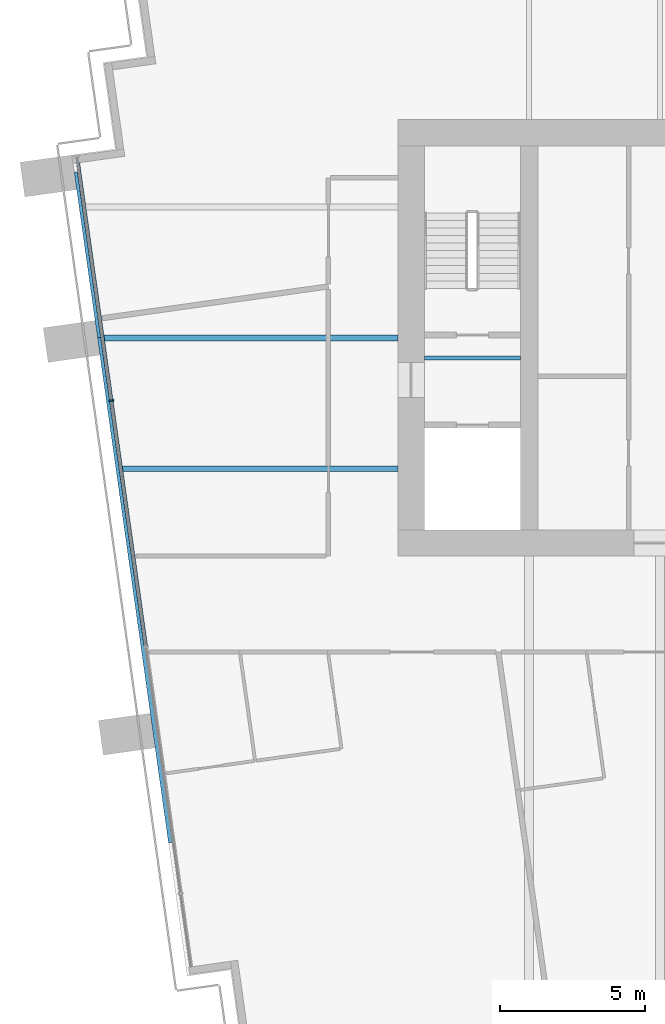
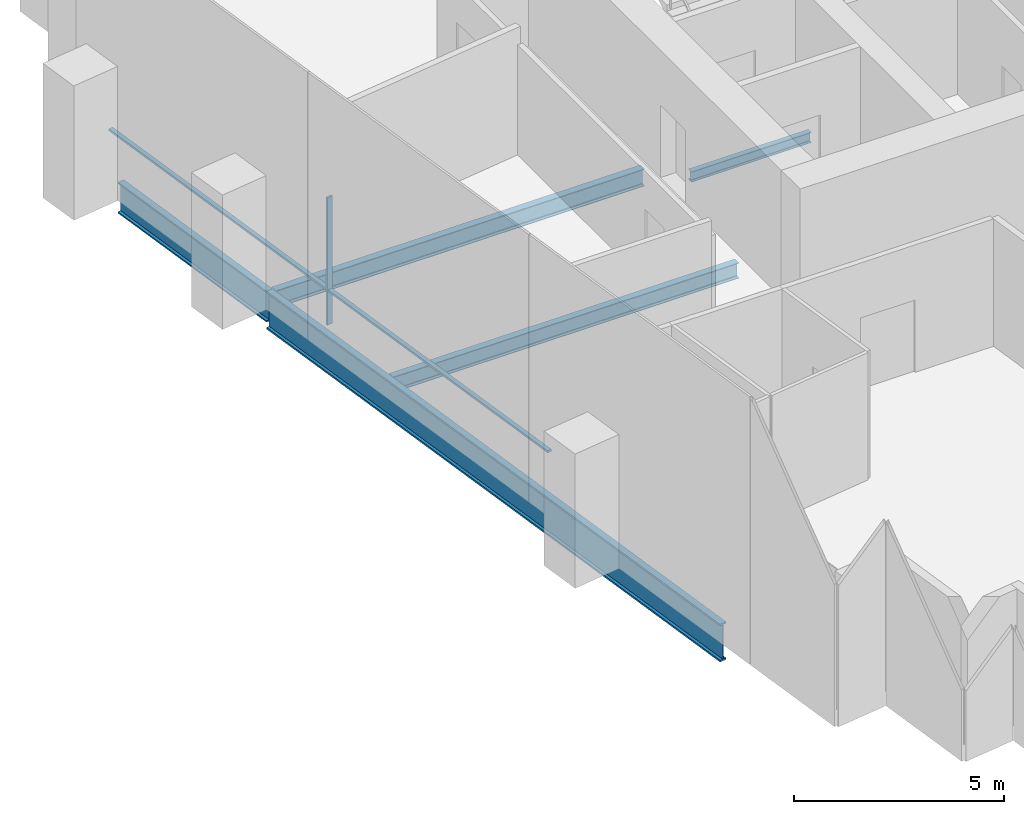
# One storey, part 3 of 17: 5 beams, 3 members, 1 element without a shape of its own.
"""IFC4 building model written with IfcOpenShell, lengths in metres."""

import ifcopenshell
import ifcopenshell.guid

model = None  # the IFC model being written
_history = None  # IfcOwnerHistory: only IFC2X3 demands one
_inside = {}  # id of a spatial element -> (the spatial element, [elements in it])
_under = {}  # id of a project, library or spatial element -> (it, [spatial elements below it])
_declared = {}  # id of a project -> (the project, [libraries it declares])
_typed = {}  # id of a type object -> (the type object, [elements of that type])
_made_of = {}  # id of a material, layer set ... -> (it, [elements and type objects made of it])


def new_model(schema):
    """Start an empty IFC model of exactly this schema.

    Asked for "IFC4X3", IfcOpenShell would pick the latest addendum, in which some entities
    have other attributes; the version numbers below select the first issue.
    IFC2X3 requires an IfcOwnerHistory on every rooted entity: one is made here for all.
    """
    global model, _history
    if schema == "IFC4X3":
        model = ifcopenshell.file(schema_version=(4, 3, 0, 0))
    else:
        model = ifcopenshell.file(schema=schema)
    _inside.clear()
    _under.clear()
    _declared.clear()
    _typed.clear()
    _made_of.clear()
    _history = None
    if model.schema == "IFC2X3":
        org = make("IfcOrganization", Name="unknown")
        user = make(
            "IfcPersonAndOrganization",
            ThePerson=make("IfcPerson", FamilyName="unknown"),
            TheOrganization=org,
        )
        app = make(
            "IfcApplication",
            ApplicationDeveloper=org,
            Version="unknown",
            ApplicationFullName="unknown",
            ApplicationIdentifier="unknown",
        )
        _history = make(
            "IfcOwnerHistory",
            OwningUser=user,
            OwningApplication=app,
            ChangeAction="ADDED",
            CreationDate=0,
        )
    return model


def make(cls, **values):
    """One entity of the class cls with the attributes given. An attribute that is None is left unset."""
    return model.create_entity(
        cls, **{name: value for name, value in values.items() if value is not None}
    )


def rooted(cls, **values):
    """An entity with a GlobalId (a new one), such as an element, a storey or a relation."""
    return make(cls, GlobalId=ifcopenshell.guid.new(), OwnerHistory=_history, **values)


def si_unit(unit_type, name, prefix=None):
    """IfcSIUnit, for example si_unit("LENGTHUNIT", "METRE", prefix="MILLI")."""
    return make("IfcSIUnit", UnitType=unit_type, Prefix=prefix, Name=name)


def assignment(units):
    """IfcUnitAssignment: the units of a project."""
    return None if units is None else make("IfcUnitAssignment", Units=units)


def point(xyz):
    """IfcCartesianPoint."""
    return None if xyz is None else make("IfcCartesianPoint", Coordinates=xyz)


def direction(xyz):
    """IfcDirection."""
    return None if xyz is None else make("IfcDirection", DirectionRatios=xyz)


def frame(location, z_axis=None, x_axis=None):
    """IfcAxis2Placement3D, a coordinate frame: its origin and axes. An axis left out is left unset."""
    return make(
        "IfcAxis2Placement3D",
        Location=point(location),
        Axis=direction(z_axis),
        RefDirection=direction(x_axis),
    )


def frame_2d(location, x_axis=None):
    """IfcAxis2Placement2D, a coordinate frame in the plane: its origin and x axis."""
    return make(
        "IfcAxis2Placement2D", Location=point(location), RefDirection=direction(x_axis)
    )


def origin():
    """The frame at (0, 0, 0) with its axes left unset."""
    return frame((0.0, 0.0, 0.0))


def origin_2d():
    """The frame at (0, 0) in the plane with its x axis left unset."""
    return frame_2d((0.0, 0.0))


def place(relative_to, where):
    """IfcLocalPlacement: puts the frame where relative to a parent placement (None: the world)."""
    return make(
        "IfcLocalPlacement", PlacementRelTo=relative_to, RelativePlacement=where
    )


def context(
    kind, dimensions, precision=None, world=None, true_north=None, identifier=None
):
    """IfcGeometricRepresentationContext, for example the 3D "Model" context."""
    return make(
        "IfcGeometricRepresentationContext",
        ContextIdentifier=identifier,
        ContextType=kind,
        CoordinateSpaceDimension=dimensions,
        Precision=precision,
        WorldCoordinateSystem=world,
        TrueNorth=true_north,
    )


def subcontext(parent, identifier, kind, view, scale=None):
    """IfcGeometricRepresentationSubContext, for example "Body" below "Model"."""
    return make(
        "IfcGeometricRepresentationSubContext",
        ContextIdentifier=identifier,
        ContextType=kind,
        ParentContext=parent,
        TargetScale=scale,
        TargetView=view,
    )


def project(units=None, contexts=None):
    """IfcProject with its units and contexts."""
    return rooted(
        "IfcProject",
        Name="project",
        RepresentationContexts=contexts,
        UnitsInContext=assignment(units),
    )


def spatial(cls, under=None, at=None, **own):
    """A site, building, storey or space (cls), placed at a placement, below another one or the project."""
    s = rooted(cls, ObjectPlacement=at, **own)
    if under is not None:
        _under.setdefault(under.id(), (under, []))[1].append(s)
    return s


def profile(cls, at=None, kind="AREA", **sizes):
    """A parametric profile (cls). Its sizes go by their IFC names, for example OverallWidth=200.0."""
    return make(cls, ProfileType=kind, Position=at, **sizes)


def rectangle(**sizes):
    """IfcRectangleProfileDef."""
    return profile("IfcRectangleProfileDef", **sizes)


def i_section(**sizes):
    """IfcIShapeProfileDef."""
    return profile("IfcIShapeProfileDef", **sizes)


def extrude(swept, where, along, depth):
    """IfcExtrudedAreaSolid: the profile swept, set in the frame where, extruded along a direction by depth."""
    return make(
        "IfcExtrudedAreaSolid",
        SweptArea=swept,
        Position=where,
        ExtrudedDirection=direction(along),
        Depth=depth,
    )


def shape(context_of_items, identifier, shape_type, items):
    """IfcShapeRepresentation: the items that make up one representation, for example the "Body"."""
    return make(
        "IfcShapeRepresentation",
        ContextOfItems=context_of_items,
        RepresentationIdentifier=identifier,
        RepresentationType=shape_type,
        Items=items,
    )


def material(Name=None, Category=None):
    """IfcMaterial."""
    return make("IfcMaterial", Name=Name, Category=Category)


def material_profile(
    of_material, cross_section, Name=None, Category=None, Priority=None
):
    """IfcMaterialProfile: a cross section and its material."""
    return make(
        "IfcMaterialProfile",
        Name=Name,
        Material=of_material,
        Profile=cross_section,
        Priority=Priority,
        Category=Category,
    )


def profile_set(profiles, Name=None, composite=None):
    """IfcMaterialProfileSet."""
    return make(
        "IfcMaterialProfileSet",
        Name=Name,
        MaterialProfiles=profiles,
        CompositeProfile=composite,
    )


def made_of(thing, what):
    """Note that an element or type object is made of a material, layer set ...; save() writes the relation."""
    if what is not None:
        _made_of.setdefault(what.id(), (what, []))[1].append(thing)
    return thing


def type_object(cls, material=None, **own):
    """A type object (cls), such as IfcWallType, which elements share."""
    return made_of(rooted(cls, **own), material)


def element(
    cls,
    number,
    at=None,
    inside=None,
    cuts=None,
    type_object=None,
    material=None,
    context=None,
    identifier="Body",
    shape_type=None,
    held_by="IfcProductDefinitionShape",
    body=None,
    shapes=None,
    **own,
):
    """One element of the class cls, such as IfcWall. Its Tag is "e" and its number.

    at: its placement. inside: the storey or other place that contains it. cuts: it is an
    opening in that element (IfcRelVoidsElement). A single representation is given by context,
    identifier, shape_type and body (its items); several are given by shapes. held_by: the class
    of the entity that holds the representations. save() writes the other relations.
    """
    e = rooted(cls, Tag="e%d" % number, ObjectPlacement=at, **own)
    if body is not None:
        shapes = [shape(context, identifier, shape_type, body)]
    if shapes is not None:
        e.Representation = make(held_by, Representations=shapes)
    if inside is not None:
        _inside.setdefault(inside.id(), (inside, []))[1].append(e)
    if cuts is not None:
        rooted(
            "IfcRelVoidsElement", RelatingBuildingElement=cuts, RelatedOpeningElement=e
        )
    if type_object is not None:
        _typed.setdefault(type_object.id(), (type_object, []))[1].append(e)
    return made_of(e, material)


def aggregate(whole, parts):
    """IfcRelAggregates: a whole, such as a stair, and the parts it consists of."""
    return rooted("IfcRelAggregates", RelatingObject=whole, RelatedObjects=parts)


def save(model, path):
    """Write the relations noted so far, then the file.

    IfcRelAggregates (storeys below a building ...), IfcRelContainedInSpatialStructure (elements
    in a storey), IfcRelDefinesByType, IfcRelAssociatesMaterial and IfcRelDeclares: one each for
    every whole, place, type object, material and project.
    """
    for whole, parts in _under.values():
        aggregate(whole, parts)
    for where, things in _inside.values():
        rooted(
            "IfcRelContainedInSpatialStructure",
            RelatedElements=things,
            RelatingStructure=where,
        )
    for kind, things in _typed.values():
        rooted("IfcRelDefinesByType", RelatedObjects=things, RelatingType=kind)
    for what, things in _made_of.values():
        rooted("IfcRelAssociatesMaterial", RelatedObjects=things, RelatingMaterial=what)
    for by, libraries in _declared.values():
        rooted("IfcRelDeclares", RelatingContext=by, RelatedDefinitions=libraries)
    model.write(path)


model = new_model("IFC4")

# Units and contexts
model_context = context("Model", 3, precision=1e-05, world=origin(), true_north=direction((0.0, 1.0)))
body_context = subcontext(model_context, "Body", "Model", "MODEL_VIEW")
ifc_project = project(units=[si_unit("LENGTHUNIT", "METRE"), si_unit("AREAUNIT", "SQUARE_METRE"), si_unit("VOLUMEUNIT", "CUBIC_METRE"), si_unit("PLANEANGLEUNIT", "RADIAN"), si_unit("MASSUNIT", "GRAM", prefix="KILO")], contexts=[model_context])

# Site, building, storey
site_placement = place(None, origin())
site = spatial("IfcSite", under=ifc_project, at=site_placement, CompositionType="ELEMENT")
building_placement = place(site_placement, origin())
building = spatial("IfcBuilding", under=site, at=building_placement, Name="Rattan Terrace Tower", CompositionType="ELEMENT")
storey_placement = place(building_placement, frame((0.0, 0.0, 191.89990234375)))
storey = spatial("IfcBuildingStorey", under=building, at=storey_placement, Name="L44", CompositionType="ELEMENT", Elevation=191.89990234375)

# Curtain wall, members
ifc_material_1 = material(Name="Aluminium and glass", Category="aluminium")
curtain_wall_type = type_object("IfcCurtainWallType", Name="Facade Unitised Curtain Wall", PredefinedType="NOTDEFINED", material=ifc_material_1)
curtain_wall_placement = place(storey_placement, origin())
curtain_wall = element("IfcCurtainWall", 1, at=curtain_wall_placement, inside=storey, type_object=curtain_wall_type, Name="Curtain wall L44-3", PredefinedType="NOTDEFINED")
ifc_material_2 = material(Name="Aluminium", Category="aluminium")
ifc_material_profile_1 = material_profile(ifc_material_2, rectangle(XDim=0.06005859375, YDim=0.159912109375, at=origin_2d()), Name="Aluminium 60x160")
ifc_profile_set_1 = profile_set([ifc_material_profile_1], Name="Aluminium")
member_type_1 = type_object("IfcMemberType", Name="Facade CW Mullion 60x160", PredefinedType="MULLION", material=ifc_profile_set_1)
member_1_placement = place(storey_placement, frame((-27.857666015625, -2.1591796875, 0.0), z_axis=(0.0, 0.0, 1.0), x_axis=(0.139190856006, -0.99026557327, 0.0)))
member_1 = element("IfcMember", 2, at=member_1_placement, type_object=member_type_1, Name="Mullion cwl-L44-003.2", PredefinedType="MULLION", context=body_context, shape_type="SweptSolid", body=[
    extrude(rectangle(XDim=0.06005859375, YDim=0.159912109375, at=origin_2d()), origin(), (0.0, 0.0, 1.0), 3.7001953125),
])
ifc_material_3 = material(Name="Aluminium", Category="aluminium")
ifc_material_profile_2 = material_profile(ifc_material_3, rectangle(XDim=0.1201171875, YDim=0.06005859375, at=origin_2d()), Name="Aluminium 120x60")
ifc_profile_set_2 = profile_set([ifc_material_profile_2], Name="Aluminium")
member_type_2 = type_object("IfcMemberType", Name="Facade CW Transom 120x60", PredefinedType="USERDEFINED", material=ifc_profile_set_2)
member_2_placement = place(storey_placement, frame((-29.032958984375, 6.20361328125, 1.0), z_axis=(0.139174814558, -0.99026782791, 0.0), x_axis=(0.99026782791, 0.139174814558, 0.0)))
member_2 = element("IfcMember", 3, at=member_2_placement, type_object=member_type_2, Name="Transom cwl-L44-003.1", ObjectType="TRANSOM", PredefinedType="USERDEFINED", context=body_context, shape_type="SweptSolid", body=[
    extrude(rectangle(XDim=0.1201171875, YDim=0.06005859375, at=origin_2d()), origin(), (0.0, 0.0, 1.0), 8.414794921875),
])
member_3_placement = place(storey_placement, frame((-27.853515625, -2.188720703125, 1.0), z_axis=(0.139206806234, -0.990263331189, 0.0), x_axis=(0.990263331189, 0.139206806234, 0.0)))
member_3 = element("IfcMember", 4, at=member_3_placement, type_object=member_type_2, Name="Transom cwl-L44-003.2", ObjectType="TRANSOM", PredefinedType="USERDEFINED", context=body_context, shape_type="SweptSolid", body=[
    extrude(rectangle(XDim=0.1201171875, YDim=0.06005859375, at=origin_2d()), origin(), (0.0, 0.0, 1.0), 8.490234375),
])
aggregate(curtain_wall, [member_1, member_2, member_3])

# Beams
ifc_material_4 = material(Name="Steel S460", Category="steel")
ifc_material_profile_3 = material_profile(ifc_material_4, i_section(OverallWidth=0.179931640625, OverallDepth=1.10009765625, WebThickness=0.01611328125, FlangeThickness=0.050048828125, at=origin_2d()), Name="PG 1100x180-16-50")
ifc_profile_set_3 = profile_set([ifc_material_profile_3], Name="Steel S460")
beam_type_1 = type_object("IfcBeamType", Name="Frame edge girder PG 1100x180-16-50", PredefinedType="SPANDREL", material=ifc_profile_set_3)
beam_1_placement = place(storey_placement, frame((-25.803955078125, -17.347900390625, -0.75), z_axis=(-0.13917502981, 0.990267797657, 0.0), x_axis=(-0.990267797657, -0.13917502981, 0.0)))
element("IfcBeam", 5, at=beam_1_placement, inside=storey, type_object=beam_type_1, Name="gdr-L44-003", PredefinedType="SPANDREL", context=body_context, shape_type="SweptSolid", body=[
    extrude(i_section(OverallWidth=0.179931640625, OverallDepth=1.10009765625, WebThickness=0.01611328125, FlangeThickness=0.050048828125, at=origin_2d()), origin(), (0.0, 0.0, 1.0), 17.531494140625),
])
ifc_material_5 = material(Name="Steel S460", Category="steel")
ifc_material_profile_4 = material_profile(ifc_material_5, i_section(OverallWidth=0.179931640625, OverallDepth=0.89990234375, WebThickness=0.013916015625, FlangeThickness=0.0400390625, at=origin_2d()), Name="PG 900x180-14-40")
ifc_profile_set_4 = profile_set([ifc_material_profile_4], Name="Steel S460")
beam_type_2 = type_object("IfcBeamType", Name="Frame edge girder PG 900x180-14-40", PredefinedType="SPANDREL", material=ifc_profile_set_4)
beam_2_placement = place(storey_placement, frame((-29.0439453125, 5.702880859375, -0.64990234375), z_axis=(0.139237904773, -0.990258958997, 0.0), x_axis=(0.990258958997, 0.139237904773, 0.0)))
element("IfcBeam", 6, at=beam_2_placement, inside=storey, type_object=beam_type_2, Name="gdr-L44-004", PredefinedType="SPANDREL", context=body_context, shape_type="SweptSolid", body=[
    extrude(i_section(OverallWidth=0.179931640625, OverallDepth=0.89990234375, WebThickness=0.013916015625, FlangeThickness=0.0400390625, at=origin_2d()), origin(), (0.0, 0.0, 1.0), 5.745849609375),
])
ifc_material_6 = material(Name="Steel S355", Category="steel")
ifc_material_profile_5 = material_profile(ifc_material_6, i_section(OverallWidth=0.14990234375, OverallDepth=0.300048828125, WebThickness=0.007080078125, FlangeThickness=0.0107421875, FilletRadius=0.014892578125, at=origin_2d()), Name="IPE 300")
ifc_profile_set_5 = profile_set([ifc_material_profile_5], Name="Steel S355")
beam_type_3 = type_object("IfcBeamType", Name="Frame floor beam IPE 300", PredefinedType="JOIST", material=ifc_profile_set_5)
beam_3_placement = place(storey_placement, frame((-17.10009765625, -0.695068359375, -0.349853515625), z_axis=(1.0, 0.0, 0.0), x_axis=(0.0, 1.0, 0.0)))
element("IfcBeam", 7, at=beam_3_placement, inside=storey, type_object=beam_type_3, Name="bm-L44-001", PredefinedType="JOIST", context=body_context, shape_type="SweptSolid", body=[
    extrude(i_section(OverallWidth=0.14990234375, OverallDepth=0.300048828125, WebThickness=0.007080078125, FlangeThickness=0.0107421875, FilletRadius=0.014892578125, at=origin_2d()), origin(), (0.0, 0.0, 1.0), 3.300048828125),
])
ifc_material_7 = material(Name="Steel S355", Category="steel")
ifc_material_profile_6 = material_profile(ifc_material_7, i_section(OverallWidth=0.18994140625, OverallDepth=0.449951171875, WebThickness=0.009521484375, FlangeThickness=0.0146484375, FilletRadius=0.02099609375, at=origin_2d()), Name="IPE 450")
ifc_profile_set_6 = profile_set([ifc_material_profile_6], Name="Steel S355")
beam_type_4 = type_object("IfcBeamType", Name="Frame floor beam IPE 450", PredefinedType="JOIST", material=ifc_profile_set_6)
beam_4_placement = place(storey_placement, frame((-27.5048828125, -4.5, -0.4248046875), z_axis=(1.0, 0.0, 0.0), x_axis=(0.0, 1.0, 0.0)))
element("IfcBeam", 8, at=beam_4_placement, inside=storey, type_object=beam_type_4, Name="bm-L44-010", PredefinedType="JOIST", context=body_context, shape_type="SweptSolid", body=[
    extrude(i_section(OverallWidth=0.18994140625, OverallDepth=0.449951171875, WebThickness=0.009521484375, FlangeThickness=0.0146484375, FilletRadius=0.02099609375, at=origin_2d()), origin(), (0.0, 0.0, 1.0), 9.5048828125),
])
ifc_material_8 = material(Name="Steel S355", Category="steel")
ifc_material_profile_7 = material_profile(ifc_material_8, i_section(OverallWidth=0.199951171875, OverallDepth=0.5, WebThickness=0.01025390625, FlangeThickness=0.01611328125, FilletRadius=0.02099609375, at=origin_2d()), Name="IPE 500")
ifc_profile_set_7 = profile_set([ifc_material_profile_7], Name="Steel S355")
beam_type_5 = type_object("IfcBeamType", Name="Frame floor beam IPE 500", PredefinedType="JOIST", material=ifc_profile_set_7)
beam_5_placement = place(storey_placement, frame((-28.136962890625, 0.0, -0.449951171875), z_axis=(1.0, 0.0, 0.0), x_axis=(0.0, 1.0, 0.0)))
element("IfcBeam", 9, at=beam_5_placement, inside=storey, type_object=beam_type_5, Name="bm-L44-012", PredefinedType="JOIST", context=body_context, shape_type="SweptSolid", body=[
    extrude(i_section(OverallWidth=0.199951171875, OverallDepth=0.5, WebThickness=0.01025390625, FlangeThickness=0.01611328125, FilletRadius=0.02099609375, at=origin_2d()), origin(), (0.0, 0.0, 1.0), 10.136962890625),
])

save(model, "model.ifc")
